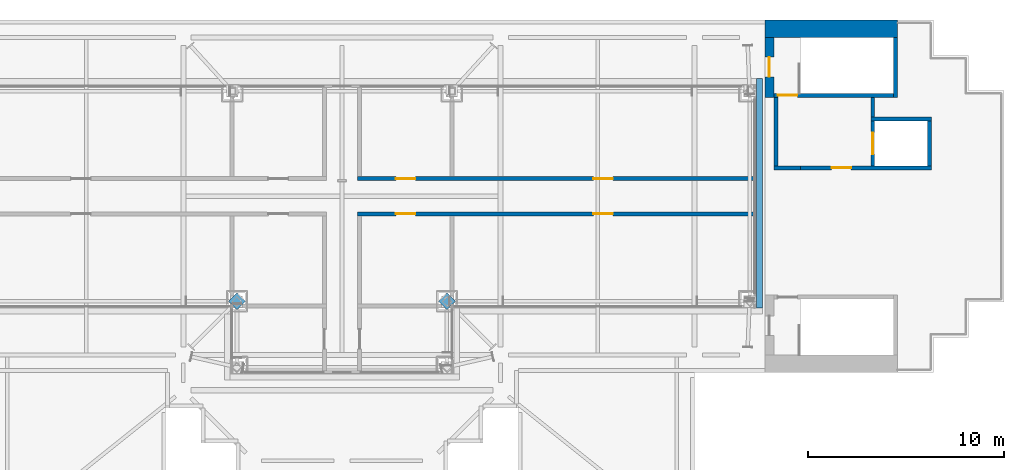
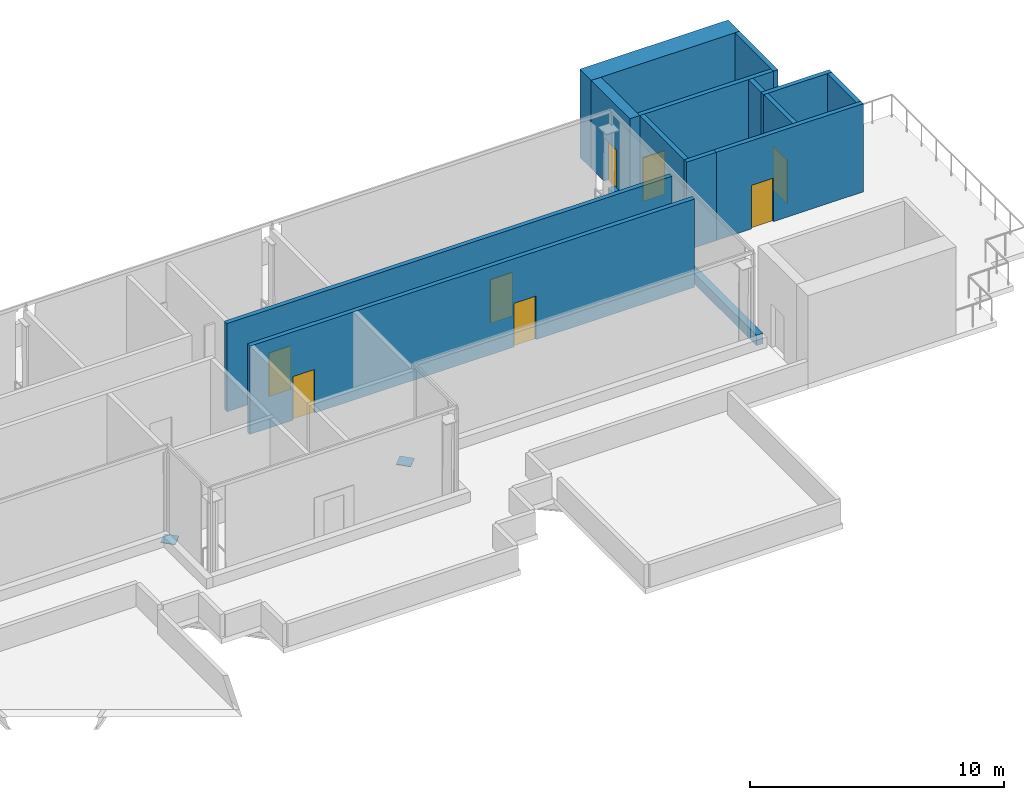
# One storey, part 5 of 8: 14 walls, 8 doors, 2 discrete accessories, 8 openings.
"""IFC4 building model written with IfcOpenShell, lengths in metres."""

from ifc_helpers import new_model, si_unit, direction, frame, frame_2d, origin, origin_2d, place, context, subcontext, project, spatial, rectangle, extrude, material, layer, layer_set, material_profile, profile_set, type_object, element, fill, save


model = new_model("IFC4")

# Units and contexts
model_context = context("Model", 3, precision=1e-05, world=origin(), true_north=direction((0.0, 1.0)))
body_context = subcontext(model_context, "Body", "Model", "MODEL_VIEW")
ifc_project = project(units=[si_unit("LENGTHUNIT", "METRE"), si_unit("AREAUNIT", "SQUARE_METRE"), si_unit("VOLUMEUNIT", "CUBIC_METRE"), si_unit("PLANEANGLEUNIT", "RADIAN"), si_unit("MASSUNIT", "GRAM", prefix="KILO")], contexts=[model_context])

# Site, building, storey
site_placement = place(None, origin())
site = spatial("IfcSite", under=ifc_project, at=site_placement, CompositionType="ELEMENT")
building_placement = place(site_placement, origin())
building = spatial("IfcBuilding", under=site, at=building_placement, Name="Perihelion Cross Residences", CompositionType="ELEMENT")
storey_placement = place(building_placement, frame((0.0, 0.0, 298.800048828125)))
storey = spatial("IfcBuildingStorey", under=building, at=storey_placement, Name="L76", CompositionType="ELEMENT", Elevation=298.800048828125)

# Wall, openings, doors
ifc_material_1 = material(Name="Plasterboard partition")
ifc_layer_1 = layer(ifc_material_1, 0.199951171875)
ifc_layer_set_1 = layer_set([ifc_layer_1], Name="Apartment riser wall 200")
wall_type_1 = type_object("IfcWallType", Name="Apartment riser wall 200", PredefinedType="PARTITIONING", material=ifc_layer_set_1)
wall_1_placement = place(storey_placement, frame((0.800048828125, 0.89990234375, 0.0), z_axis=(0.0, 0.0, 1.0), x_axis=(1.0, 0.0, 0.0)))
wall_1 = element("IfcWall", 1, at=wall_1_placement, inside=storey, type_object=wall_type_1, Name="Partition L76 W001", PredefinedType="PARTITIONING", context=body_context, shape_type="SweptSolid", body=[
    extrude(rectangle(XDim=20.25732421875, YDim=0.199951171875, at=frame_2d((10.128662109375, 0.0))), origin(), (0.0, 0.0, 1.0), 4.25),
])
opening_1_placement = place(wall_1_placement, frame((12.0322265625, 0.0, 0.0)))
opening_1 = element("IfcOpeningElement", 2, at=opening_1_placement, cuts=wall_1, Name="Opening L76.A01", PredefinedType="OPENING", context=body_context, shape_type="SweptSolid", body=[
    extrude(rectangle(XDim=1.0, YDim=2.10009765625, at=frame_2d((0.5, 1.050048828125))), frame((0.0, 0.10986328125, 0.0), z_axis=(0.0, -1.0, 0.0), x_axis=(1.0, 0.0, 0.0)), (0.0, 0.0, 1.0), 0.219970703125),
])
opening_2_placement = place(wall_1_placement, frame((1.95361328125, 0.0, 0.0)))
opening_2 = element("IfcOpeningElement", 3, at=opening_2_placement, cuts=wall_1, Name="Opening L76.A05", PredefinedType="OPENING", context=body_context, shape_type="SweptSolid", body=[
    extrude(rectangle(XDim=1.0, YDim=2.10009765625, at=frame_2d((0.5, 1.050048828125))), frame((0.0, 0.10986328125, 0.0), z_axis=(0.0, -1.0, 0.0), x_axis=(1.0, 0.0, 0.0)), (0.0, 0.0, 1.0), 0.219970703125),
])
ifc_material_2 = material(Name="Steel door leaf", Category="steel")
door_type_1 = type_object("IfcDoorType", Name="Plant floor door 1000 x 2100", OperationType="SINGLE_SWING_LEFT", PredefinedType="DOOR", material=ifc_material_2)
door_1_placement = place(opening_1_placement, origin())
door_1 = element("IfcDoor", 4, at=door_1_placement, inside=storey, type_object=door_type_1, Name="Door L76.A01", OperationType="SINGLE_SWING_RIGHT", OverallHeight=2.10009765625, OverallWidth=1.0, PredefinedType="DOOR", context=body_context, shape_type="SweptSolid", body=[
    extrude(rectangle(XDim=1.0, YDim=2.10009765625, at=frame_2d((0.5, 1.050048828125))), frame((0.0, 0.02490234375, 0.0), z_axis=(0.0, -1.0, 0.0), x_axis=(1.0, 0.0, 0.0)), (0.0, 0.0, 1.0), 0.050048828125),
])
fill(opening_1, door_1)
door_2_placement = place(opening_2_placement, origin())
door_2 = element("IfcDoor", 5, at=door_2_placement, inside=storey, type_object=door_type_1, Name="Door L76.A05", OperationType="SINGLE_SWING_RIGHT", OverallHeight=2.10009765625, OverallWidth=1.0, PredefinedType="DOOR", context=body_context, shape_type="SweptSolid", body=[
    extrude(rectangle(XDim=1.0, YDim=2.10009765625, at=frame_2d((0.5, 1.050048828125))), frame((0.0, 0.02490234375, 0.0), z_axis=(0.0, -1.0, 0.0), x_axis=(1.0, 0.0, 0.0)), (0.0, 0.0, 1.0), 0.050048828125),
])
fill(opening_2, door_2)

wall_2_placement = place(storey_placement, frame((21.057373046875, -0.89990234375, 0.0), z_axis=(0.0, 0.0, 1.0), x_axis=(-1.0, 0.0, 0.0)))
wall_2 = element("IfcWall", 6, at=wall_2_placement, inside=storey, type_object=wall_type_1, Name="Partition L76 W002", PredefinedType="PARTITIONING", context=body_context, shape_type="SweptSolid", body=[
    extrude(rectangle(XDim=20.25732421875, YDim=0.199951171875, at=frame_2d((10.128662109375, 0.0))), origin(), (0.0, 0.0, 1.0), 4.25),
])
opening_3_placement = place(wall_2_placement, frame((7.22509765625, 0.0, 0.0)))
opening_3 = element("IfcOpeningElement", 7, at=opening_3_placement, cuts=wall_2, Name="Opening L76.A02", PredefinedType="OPENING", context=body_context, shape_type="SweptSolid", body=[
    extrude(rectangle(XDim=1.0, YDim=2.10009765625, at=frame_2d((0.5, 1.050048828125))), frame((0.0, 0.10986328125, 0.0), z_axis=(0.0, -1.0, 0.0), x_axis=(1.0, 0.0, 0.0)), (0.0, 0.0, 1.0), 0.219970703125),
])
opening_4_placement = place(wall_2_placement, frame((17.303955078125, 0.0, 0.0)))
opening_4 = element("IfcOpeningElement", 8, at=opening_4_placement, cuts=wall_2, Name="Opening L76.A06", PredefinedType="OPENING", context=body_context, shape_type="SweptSolid", body=[
    extrude(rectangle(XDim=1.0, YDim=2.10009765625, at=frame_2d((0.5, 1.050048828125))), frame((0.0, 0.10986328125, 0.0), z_axis=(0.0, -1.0, 0.0), x_axis=(1.0, 0.0, 0.0)), (0.0, 0.0, 1.0), 0.219970703125),
])
door_3_placement = place(opening_3_placement, origin())
door_3 = element("IfcDoor", 9, at=door_3_placement, inside=storey, type_object=door_type_1, Name="Door L76.A02", OperationType="SINGLE_SWING_RIGHT", OverallHeight=2.10009765625, OverallWidth=1.0, PredefinedType="DOOR", context=body_context, shape_type="SweptSolid", body=[
    extrude(rectangle(XDim=1.0, YDim=2.10009765625, at=frame_2d((0.5, 1.050048828125))), frame((0.0, 0.02490234375, 0.0), z_axis=(0.0, -1.0, 0.0), x_axis=(1.0, 0.0, 0.0)), (0.0, 0.0, 1.0), 0.050048828125),
])
fill(opening_3, door_3)
door_4_placement = place(opening_4_placement, origin())
door_4 = element("IfcDoor", 10, at=door_4_placement, inside=storey, type_object=door_type_1, Name="Door L76.A06", OperationType="SINGLE_SWING_RIGHT", OverallHeight=2.10009765625, OverallWidth=1.0, PredefinedType="DOOR", context=body_context, shape_type="SweptSolid", body=[
    extrude(rectangle(XDim=1.0, YDim=2.10009765625, at=frame_2d((0.5, 1.050048828125))), frame((0.0, 0.02490234375, 0.0), z_axis=(0.0, -1.0, 0.0), x_axis=(1.0, 0.0, 0.0)), (0.0, 0.0, 1.0), 0.050048828125),
])
fill(opening_4, door_4)

# Walls
ifc_material_3 = material(Name="Concrete C40/50", Category="concrete")
ifc_layer_2 = layer(ifc_material_3, 0.300048828125)
ifc_layer_set_2 = layer_set([ifc_layer_2], Name="Crown curb wall 300")
wall_type_2 = type_object("IfcWallType", Name="Crown curb wall 300", PredefinedType="PARAPET", material=ifc_layer_set_2)
wall_3_placement = place(storey_placement, frame((21.307373046875, -5.70703125, 0.0), z_axis=(0.0, 0.0, 1.0), x_axis=(0.0, 1.0, 0.0)))
element("IfcWall", 11, at=wall_3_placement, inside=storey, type_object=wall_type_2, Name="Wall CU1 L76 curb 8", PredefinedType="PARAPET", context=body_context, shape_type="SweptSolid", body=[
    extrude(rectangle(XDim=11.714111328125, YDim=0.300048828125, at=frame_2d((5.85693359375, 0.0))), origin(), (0.0, 0.0, 1.0), 0.5),
])
ifc_material_4 = material(Name="Concrete C50/60", Category="concrete")
ifc_layer_3 = layer(ifc_material_4, 0.199951171875)
ifc_layer_set_3 = layer_set([ifc_layer_3], Name="Lobby wall 200")
wall_type_3 = type_object("IfcWallType", Name="Lobby wall 200", PredefinedType="SOLIDWALL", material=ifc_layer_set_3)
wall_4_placement = place(storey_placement, frame((22.050048828125, 1.449951171875, 0.0), z_axis=(0.0, 0.0, 1.0), x_axis=(1.0, 0.0, 0.0)))
element("IfcWall", 12, at=wall_4_placement, inside=storey, type_object=wall_type_3, Name="East core lobby wall", PredefinedType="SOLIDWALL", context=body_context, shape_type="SweptSolid", body=[
    extrude(rectangle(XDim=1.349853515625, YDim=0.199951171875, at=frame_2d((0.6748046875, 0.0))), origin(), (0.0, 0.0, 1.0), 4.25),
])
wall_5_placement = place(storey_placement, frame((22.14990234375, 1.550048828125, 0.0), z_axis=(0.0, 0.0, 1.0), x_axis=(0.0, 1.0, 0.0)))
element("IfcWall", 13, at=wall_5_placement, inside=storey, type_object=wall_type_3, Name="East core lobby wall", PredefinedType="SOLIDWALL", context=body_context, shape_type="SweptSolid", body=[
    extrude(rectangle(XDim=3.5, YDim=0.199951171875, at=frame_2d((1.75, 0.0))), origin(), (0.0, 0.0, 1.0), 4.25),
])
wall_6_placement = place(storey_placement, frame((27.10009765625, 4.050048828125, 0.0), z_axis=(0.0, 0.0, 1.0), x_axis=(0.0, 1.0, 0.0)))
element("IfcWall", 14, at=wall_6_placement, inside=storey, type_object=wall_type_3, Name="East core lobby wall", PredefinedType="SOLIDWALL", context=body_context, shape_type="SweptSolid", body=[
    extrude(rectangle(XDim=1.0, YDim=0.199951171875, at=frame_2d((0.5, 0.0))), origin(), (0.0, 0.0, 1.0), 4.25),
])

# Wall, opening, door
ifc_material_5 = material(Name="Concrete C50/60", Category="concrete")
ifc_layer_4 = layer(ifc_material_5, 0.199951171875)
ifc_layer_set_4 = layer_set([ifc_layer_4], Name="Shaft wall 200")
wall_type_4 = type_object("IfcWallType", Name="Shaft wall 200", PredefinedType="SOLIDWALL", material=ifc_layer_set_4)
wall_7_placement = place(storey_placement, frame((23.39990234375, 1.449951171875, 0.0), z_axis=(0.0, 0.0, 1.0), x_axis=(1.0, 0.0, 0.0)))
wall_7 = element("IfcWall", 15, at=wall_7_placement, inside=storey, type_object=wall_type_4, Name="East core shaft wall", PredefinedType="SOLIDWALL", context=body_context, shape_type="SweptSolid", body=[
    extrude(rectangle(XDim=6.7001953125, YDim=0.199951171875, at=frame_2d((3.35009765625, 0.0))), origin(), (0.0, 0.0, 1.0), 4.25),
])
opening_5_placement = place(wall_7_placement, frame((1.60009765625, 0.0, 0.0)))
opening_5 = element("IfcOpeningElement", 16, at=opening_5_placement, cuts=wall_7, Name="Opening L76.C06", PredefinedType="OPENING", context=body_context, shape_type="SweptSolid", body=[
    extrude(rectangle(XDim=1.0, YDim=2.10009765625, at=frame_2d((0.5, 1.050048828125))), frame((0.0, 0.10986328125, 0.0), z_axis=(0.0, -1.0, 0.0), x_axis=(1.0, 0.0, 0.0)), (0.0, 0.0, 1.0), 0.219970703125),
])
ifc_material_6 = material(Name="Steel, powder coated", Category="steel")
door_type_2 = type_object("IfcDoorType", Name="Lobby door 1000", OperationType="SINGLE_SWING_LEFT", PredefinedType="DOOR", material=ifc_material_6)
door_5_placement = place(opening_5_placement, origin())
door_5 = element("IfcDoor", 17, at=door_5_placement, inside=storey, type_object=door_type_2, Name="East core firefighting lobby door", OperationType="SINGLE_SWING_LEFT", OverallHeight=2.10009765625, OverallWidth=1.0, PredefinedType="DOOR", context=body_context, shape_type="SweptSolid", body=[
    extrude(rectangle(XDim=1.0, YDim=2.10009765625, at=frame_2d((0.5, 1.050048828125))), frame((0.0, 0.02490234375, 0.0), z_axis=(0.0, -1.0, 0.0), x_axis=(1.0, 0.0, 0.0)), (0.0, 0.0, 1.0), 0.050048828125),
])
fill(opening_5, door_5)

# Wall
wall_8_placement = place(storey_placement, frame((27.0, 3.949951171875, 0.0), z_axis=(0.0, 0.0, 1.0), x_axis=(1.0, 0.0, 0.0)))
element("IfcWall", 18, at=wall_8_placement, inside=storey, type_object=wall_type_4, Name="East core shaft wall", PredefinedType="SOLIDWALL", context=body_context, shape_type="SweptSolid", body=[
    extrude(rectangle(XDim=3.10009765625, YDim=0.199951171875, at=frame_2d((1.550048828125, 0.0))), origin(), (0.0, 0.0, 1.0), 4.25),
])

# Wall, opening, door
wall_9_placement = place(storey_placement, frame((27.10009765625, 1.550048828125, 0.0), z_axis=(0.0, 0.0, 1.0), x_axis=(0.0, 1.0, 0.0)))
wall_9 = element("IfcWall", 19, at=wall_9_placement, inside=storey, type_object=wall_type_4, Name="East core shaft wall", PredefinedType="SOLIDWALL", context=body_context, shape_type="SweptSolid", body=[
    extrude(rectangle(XDim=2.300048828125, YDim=0.199951171875, at=frame_2d((1.14990234375, 0.0))), origin(), (0.0, 0.0, 1.0), 4.25),
])
opening_6_placement = place(wall_9_placement, frame((0.60009765625, 0.0, 0.0)))
opening_6 = element("IfcOpeningElement", 20, at=opening_6_placement, cuts=wall_9, Name="Opening L76.C01", PredefinedType="OPENING", context=body_context, shape_type="SweptSolid", body=[
    extrude(rectangle(XDim=1.10009765625, YDim=2.10009765625, at=frame_2d((0.550048828125, 1.050048828125))), frame((0.0, 0.10986328125, 0.0), z_axis=(0.0, -1.0, 0.0), x_axis=(1.0, 0.0, 0.0)), (0.0, 0.0, 1.0), 0.219970703125),
])
ifc_material_7 = material(Name="Stainless steel", Category="steel")
door_type_3 = type_object("IfcDoorType", Name="Landing door, firefighting lift 1100", OperationType="DOUBLE_DOOR_SLIDING", PredefinedType="DOOR", material=ifc_material_7)
door_6_placement = place(opening_6_placement, origin())
door_6 = element("IfcDoor", 21, at=door_6_placement, inside=storey, type_object=door_type_3, Name="Landing door, East core firefighting and service lift", OperationType="DOUBLE_DOOR_SLIDING", OverallHeight=2.10009765625, OverallWidth=1.10009765625, PredefinedType="DOOR", context=body_context, shape_type="SweptSolid", body=[
    extrude(rectangle(XDim=1.10009765625, YDim=2.10009765625, at=frame_2d((0.550048828125, 1.050048828125))), frame((0.0, 0.02490234375, 0.0), z_axis=(0.0, -1.0, 0.0), x_axis=(1.0, 0.0, 0.0)), (0.0, 0.0, 1.0), 0.050048828125),
])
fill(opening_6, door_6)

# Walls
wall_10_placement = place(storey_placement, frame((30.0, 1.550048828125, 0.0), z_axis=(0.0, 0.0, 1.0), x_axis=(0.0, 1.0, 0.0)))
element("IfcWall", 22, at=wall_10_placement, inside=storey, type_object=wall_type_4, Name="East core shaft wall", PredefinedType="SOLIDWALL", context=body_context, shape_type="SweptSolid", body=[
    extrude(rectangle(XDim=2.300048828125, YDim=0.199951171875, at=frame_2d((1.14990234375, 0.0))), origin(), (0.0, 0.0, 1.0), 4.25),
])
ifc_material_8 = material(Name="Concrete C50/60", Category="concrete")
ifc_layer_5 = layer(ifc_material_8, 0.199951171875)
ifc_layer_set_5 = layer_set([ifc_layer_5], Name="Stair wall 200")
wall_type_5 = type_object("IfcWallType", Name="Stair wall 200", PredefinedType="SOLIDWALL", material=ifc_layer_set_5)
wall_11_placement = place(storey_placement, frame((28.25, 5.050048828125, 0.0), z_axis=(0.0, 0.0, 1.0), x_axis=(0.0, 1.0, 0.0)))
element("IfcWall", 23, at=wall_11_placement, inside=storey, type_object=wall_type_5, Name="East core stair wall", PredefinedType="SOLIDWALL", context=body_context, shape_type="SweptSolid", body=[
    extrude(rectangle(XDim=3.050048828125, YDim=0.199951171875, at=frame_2d((1.52490234375, 0.0))), origin(), (0.0, 0.0, 1.0), 4.25),
])

# Wall, opening, door
wall_12_placement = place(storey_placement, frame((22.050048828125, 5.14990234375, 0.0), z_axis=(0.0, 0.0, 1.0), x_axis=(1.0, 0.0, 0.0)))
wall_12 = element("IfcWall", 24, at=wall_12_placement, inside=storey, type_object=wall_type_5, Name="East core stair wall", PredefinedType="SOLIDWALL", context=body_context, shape_type="SweptSolid", body=[
    extrude(rectangle(XDim=6.099853515625, YDim=0.199951171875, at=frame_2d((3.0498046875, 0.0))), origin(), (0.0, 0.0, 1.0), 4.25),
])
opening_7_placement = place(wall_12_placement, frame((0.199951171875, 0.0, 0.0)))
opening_7 = element("IfcOpeningElement", 25, at=opening_7_placement, cuts=wall_12, Name="Opening L76.C05", PredefinedType="OPENING", context=body_context, shape_type="SweptSolid", body=[
    extrude(rectangle(XDim=1.0, YDim=2.10009765625, at=frame_2d((0.5, 1.050048828125))), frame((0.0, 0.10986328125, 0.0), z_axis=(0.0, -1.0, 0.0), x_axis=(1.0, 0.0, 0.0)), (0.0, 0.0, 1.0), 0.219970703125),
])
ifc_material_9 = material(Name="Steel, powder coated", Category="steel")
door_type_4 = type_object("IfcDoorType", Name="Stair door 1000", OperationType="SINGLE_SWING_LEFT", PredefinedType="DOOR", material=ifc_material_9)
door_7_placement = place(opening_7_placement, origin())
door_7 = element("IfcDoor", 26, at=door_7_placement, inside=storey, type_object=door_type_4, Name="East core stair head-house door", OperationType="SINGLE_SWING_LEFT", OverallHeight=2.10009765625, OverallWidth=1.0, PredefinedType="DOOR", context=body_context, shape_type="SweptSolid", body=[
    extrude(rectangle(XDim=1.0, YDim=2.10009765625, at=frame_2d((0.5, 1.050048828125))), frame((0.0, 0.02490234375, 0.0), z_axis=(0.0, -1.0, 0.0), x_axis=(1.0, 0.0, 0.0)), (0.0, 0.0, 1.0), 0.050048828125),
])
fill(opening_7, door_7)

ifc_material_10 = material(Name="Concrete C50/60", Category="concrete")
ifc_layer_6 = layer(ifc_material_10, 0.449951171875)
ifc_layer_set_6 = layer_set([ifc_layer_6], Name="Stair wall 450")
wall_type_6 = type_object("IfcWallType", Name="Stair wall 450", PredefinedType="SOLIDWALL", material=ifc_layer_set_6)
wall_13_placement = place(storey_placement, frame((21.824951171875, 5.050048828125, 0.0), z_axis=(0.0, 0.0, 1.0), x_axis=(0.0, 1.0, 0.0)))
wall_13 = element("IfcWall", 27, at=wall_13_placement, inside=storey, type_object=wall_type_6, Name="East core stair wall", PredefinedType="SOLIDWALL", context=body_context, shape_type="SweptSolid", body=[
    extrude(rectangle(XDim=3.050048828125, YDim=0.449951171875, at=frame_2d((1.52490234375, 0.0))), origin(), (0.0, 0.0, 1.0), 4.25),
])
opening_8_placement = place(wall_13_placement, frame((1.050048828125, 0.0, 0.0)))
opening_8 = element("IfcOpeningElement", 28, at=opening_8_placement, cuts=wall_13, Name="Opening L76.C03", PredefinedType="OPENING", context=body_context, shape_type="SweptSolid", body=[
    extrude(rectangle(XDim=1.0, YDim=2.10009765625, at=frame_2d((0.5, 1.050048828125))), frame((0.0, 0.23486328125, 0.0), z_axis=(0.0, -1.0, 0.0), x_axis=(1.0, 0.0, 0.0)), (0.0, 0.0, 1.0), 0.469970703125),
])
door_8_placement = place(opening_8_placement, origin())
door_8 = element("IfcDoor", 29, at=door_8_placement, inside=storey, type_object=door_type_4, Name="East core stair roof door", OperationType="SINGLE_SWING_LEFT", OverallHeight=2.10009765625, OverallWidth=1.0, PredefinedType="DOOR", context=body_context, shape_type="SweptSolid", body=[
    extrude(rectangle(XDim=1.0, YDim=2.10009765625, at=frame_2d((0.5, 1.050048828125))), frame((0.0, 0.02490234375, 0.0), z_axis=(0.0, -1.0, 0.0), x_axis=(1.0, 0.0, 0.0)), (0.0, 0.0, 1.0), 0.050048828125),
])
fill(opening_8, door_8)

# Wall
ifc_material_11 = material(Name="Concrete C50/60", Category="concrete")
ifc_layer_7 = layer(ifc_material_11, 0.89990234375)
ifc_layer_set_7 = layer_set([ifc_layer_7], Name="Stair wall 900")
wall_type_7 = type_object("IfcWallType", Name="Stair wall 900", PredefinedType="SOLIDWALL", material=ifc_layer_set_7)
wall_14_placement = place(storey_placement, frame((21.60009765625, 8.550048828125, 0.0), z_axis=(0.0, 0.0, 1.0), x_axis=(1.0, 0.0, 0.0)))
element("IfcWall", 30, at=wall_14_placement, inside=storey, type_object=wall_type_7, Name="East core stair wall", PredefinedType="SOLIDWALL", context=body_context, shape_type="SweptSolid", body=[
    extrude(rectangle(XDim=6.75, YDim=0.89990234375, at=frame_2d((3.375, 0.0))), origin(), (0.0, 0.0, 1.0), 4.25),
])

# Discrete accessories
ifc_material_12 = material(Name="Structural steel S355 plate", Category="steel")
ifc_material_profile = material_profile(ifc_material_12, rectangle(XDim=0.60009765625, YDim=0.60009765625, at=origin_2d()), Name="Crown gusset plate")
ifc_profile_set = profile_set([ifc_material_profile], Name="Structural steel S355 plate")
discrete_accessory_type = type_object("IfcDiscreteAccessoryType", Name="Crown gusset plate", PredefinedType="BRACKET", material=ifc_profile_set)
for number, where, z_axis, x_axis, name in (
    (31, (-5.360107421875, -5.360107421875, -0.26513671875), (-0.00812954397, -0.00812954397, 0.999933908331), (0.707106781187, -0.707106781187, 0.0), "Crown gusset plate"),
    (32, (5.360107421875, -5.360107421875, -0.26513671875), (0.00812954397, -0.00812954397, 0.999933908331), (0.707106781187, 0.707106781187, 0.0), "Crown gusset plate"),
):
    element("IfcDiscreteAccessory", number, at=place(storey_placement, frame(where, z_axis=z_axis, x_axis=x_axis)), inside=storey, type_object=discrete_accessory_type, Name=name, PredefinedType="BRACKET", context=body_context, shape_type="SweptSolid", body=[
        extrude(rectangle(XDim=0.60009765625, YDim=0.60009765625, at=origin_2d()), origin(), (0.0, 0.0, 1.0), 0.030029296875),
    ])

save(model, "model.ifc")
